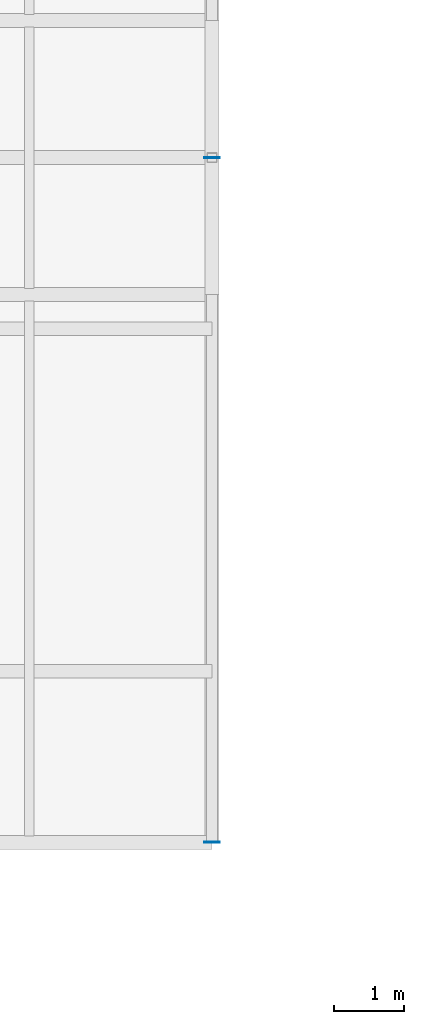
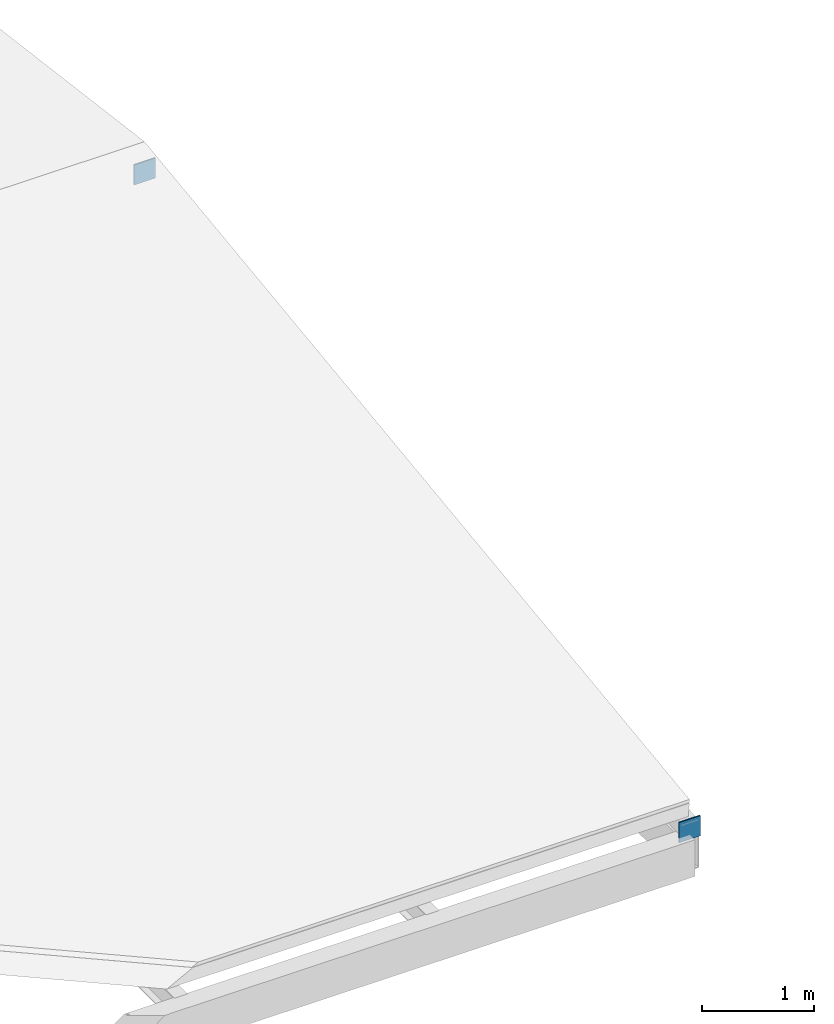
# One storey, part 32 of 45: 2 plates.
"""IFC4 building model written with IfcOpenShell, lengths in metres."""

from ifc_helpers import new_model, si_unit, direction, frame, origin, origin_2d, place, context, subcontext, project, spatial, rectangle, extrude, material, layer, layer_set, type_object, element, save


model = new_model("IFC4")

# Units and contexts
model_context = context("Model", 3, precision=1e-05, world=origin(), true_north=direction((0.0, 1.0)))
body_context = subcontext(model_context, "Body", "Model", "MODEL_VIEW")
ifc_project = project(units=[si_unit("LENGTHUNIT", "METRE"), si_unit("AREAUNIT", "SQUARE_METRE"), si_unit("VOLUMEUNIT", "CUBIC_METRE"), si_unit("PLANEANGLEUNIT", "RADIAN"), si_unit("MASSUNIT", "GRAM", prefix="KILO")], contexts=[model_context])

# Site, building, storey
site_placement = place(None, origin())
site = spatial("IfcSite", under=ifc_project, at=site_placement, CompositionType="ELEMENT")
building_placement = place(site_placement, origin())
building = spatial("IfcBuilding", under=site, at=building_placement, Name="Celorna Specialist Clinic", CompositionType="ELEMENT")
storey_placement = place(building_placement, frame((0.0, 0.0, 18.60009765625)))
storey = spatial("IfcBuildingStorey", under=building, at=storey_placement, Name="L04", CompositionType="ELEMENT", Elevation=18.60009765625)

# Plates
ifc_material = material(Name="Steel S355", Category="steel")
ifc_layer = layer(ifc_material, 0.01611328125, Name="Steel S355")
ifc_layer_set = layer_set([ifc_layer], Name="Steel S355")
plate_type = type_object("IfcPlateType", Name="EP-04", PredefinedType="SHEET", material=ifc_layer_set)
for number, where, z_axis, x_axis, name in (
    (1, (132.60009765625, 96.5, -0.31201171875), (0.0, 0.0, 1.0), (1.0, 0.0, 0.0), "Rafter chord cap plate ROOF-V4-MID-S"),
    (2, (132.60009765625, 106.25, 0.9580078125), (0.0, 0.0, 1.0), (1.0, 0.0, 0.0), "Rafter chord cap plate ROOF-V4-MID-S"),
):
    element("IfcPlate", number, at=place(storey_placement, frame(where, z_axis=z_axis, x_axis=x_axis)), inside=storey, type_object=plate_type, Name=name, PredefinedType="SHEET", context=body_context, shape_type="SweptSolid", body=[
        extrude(rectangle(XDim=0.219970703125, YDim=0.013916015625, at=origin_2d()), origin(), (0.0, 0.0, 1.0), 0.219970703125),
    ])

save(model, "model.ifc")
